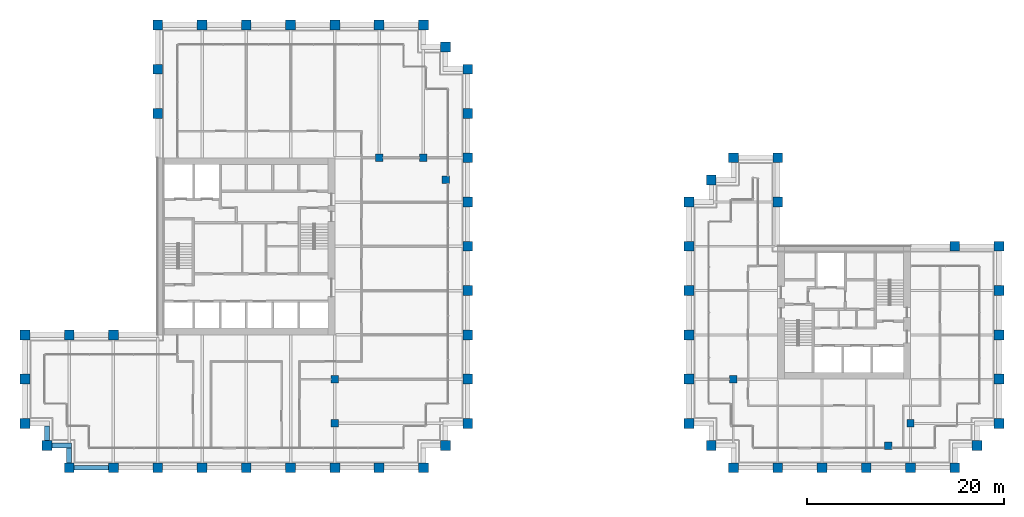
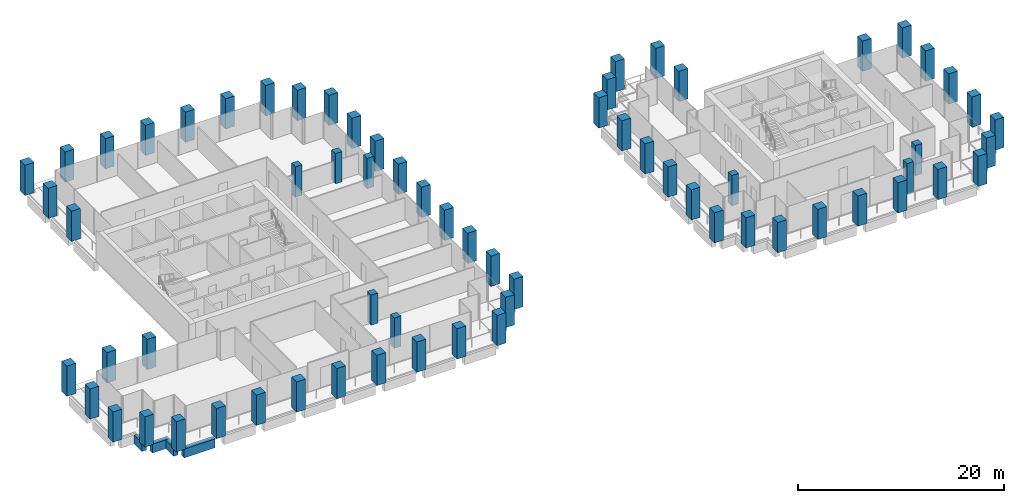
# One storey, part 1 of 46: 67 columns, 4 beams.
"""IFC4 building model written with IfcOpenShell, lengths in metres."""

import ifcopenshell
import ifcopenshell.guid

model = None  # the IFC model being written
_history = None  # IfcOwnerHistory: only IFC2X3 demands one
_inside = {}  # id of a spatial element -> (the spatial element, [elements in it])
_under = {}  # id of a project, library or spatial element -> (it, [spatial elements below it])
_declared = {}  # id of a project -> (the project, [libraries it declares])
_typed = {}  # id of a type object -> (the type object, [elements of that type])
_made_of = {}  # id of a material, layer set ... -> (it, [elements and type objects made of it])


def new_model(schema):
    """Start an empty IFC model of exactly this schema.

    Asked for "IFC4X3", IfcOpenShell would pick the latest addendum, in which some entities
    have other attributes; the version numbers below select the first issue.
    IFC2X3 requires an IfcOwnerHistory on every rooted entity: one is made here for all.
    """
    global model, _history
    if schema == "IFC4X3":
        model = ifcopenshell.file(schema_version=(4, 3, 0, 0))
    else:
        model = ifcopenshell.file(schema=schema)
    _inside.clear()
    _under.clear()
    _declared.clear()
    _typed.clear()
    _made_of.clear()
    _history = None
    if model.schema == "IFC2X3":
        org = make("IfcOrganization", Name="unknown")
        user = make(
            "IfcPersonAndOrganization",
            ThePerson=make("IfcPerson", FamilyName="unknown"),
            TheOrganization=org,
        )
        app = make(
            "IfcApplication",
            ApplicationDeveloper=org,
            Version="unknown",
            ApplicationFullName="unknown",
            ApplicationIdentifier="unknown",
        )
        _history = make(
            "IfcOwnerHistory",
            OwningUser=user,
            OwningApplication=app,
            ChangeAction="ADDED",
            CreationDate=0,
        )
    return model


def make(cls, **values):
    """One entity of the class cls with the attributes given. An attribute that is None is left unset."""
    return model.create_entity(
        cls, **{name: value for name, value in values.items() if value is not None}
    )


def rooted(cls, **values):
    """An entity with a GlobalId (a new one), such as an element, a storey or a relation."""
    return make(cls, GlobalId=ifcopenshell.guid.new(), OwnerHistory=_history, **values)


def si_unit(unit_type, name, prefix=None):
    """IfcSIUnit, for example si_unit("LENGTHUNIT", "METRE", prefix="MILLI")."""
    return make("IfcSIUnit", UnitType=unit_type, Prefix=prefix, Name=name)


def assignment(units):
    """IfcUnitAssignment: the units of a project."""
    return None if units is None else make("IfcUnitAssignment", Units=units)


def point(xyz):
    """IfcCartesianPoint."""
    return None if xyz is None else make("IfcCartesianPoint", Coordinates=xyz)


def direction(xyz):
    """IfcDirection."""
    return None if xyz is None else make("IfcDirection", DirectionRatios=xyz)


def frame(location, z_axis=None, x_axis=None):
    """IfcAxis2Placement3D, a coordinate frame: its origin and axes. An axis left out is left unset."""
    return make(
        "IfcAxis2Placement3D",
        Location=point(location),
        Axis=direction(z_axis),
        RefDirection=direction(x_axis),
    )


def frame_2d(location, x_axis=None):
    """IfcAxis2Placement2D, a coordinate frame in the plane: its origin and x axis."""
    return make(
        "IfcAxis2Placement2D", Location=point(location), RefDirection=direction(x_axis)
    )


def origin():
    """The frame at (0, 0, 0) with its axes left unset."""
    return frame((0.0, 0.0, 0.0))


def origin_2d():
    """The frame at (0, 0) in the plane with its x axis left unset."""
    return frame_2d((0.0, 0.0))


def place(relative_to, where):
    """IfcLocalPlacement: puts the frame where relative to a parent placement (None: the world)."""
    return make(
        "IfcLocalPlacement", PlacementRelTo=relative_to, RelativePlacement=where
    )


def context(
    kind, dimensions, precision=None, world=None, true_north=None, identifier=None
):
    """IfcGeometricRepresentationContext, for example the 3D "Model" context."""
    return make(
        "IfcGeometricRepresentationContext",
        ContextIdentifier=identifier,
        ContextType=kind,
        CoordinateSpaceDimension=dimensions,
        Precision=precision,
        WorldCoordinateSystem=world,
        TrueNorth=true_north,
    )


def subcontext(parent, identifier, kind, view, scale=None):
    """IfcGeometricRepresentationSubContext, for example "Body" below "Model"."""
    return make(
        "IfcGeometricRepresentationSubContext",
        ContextIdentifier=identifier,
        ContextType=kind,
        ParentContext=parent,
        TargetScale=scale,
        TargetView=view,
    )


def project(units=None, contexts=None):
    """IfcProject with its units and contexts."""
    return rooted(
        "IfcProject",
        Name="project",
        RepresentationContexts=contexts,
        UnitsInContext=assignment(units),
    )


def spatial(cls, under=None, at=None, **own):
    """A site, building, storey or space (cls), placed at a placement, below another one or the project."""
    s = rooted(cls, ObjectPlacement=at, **own)
    if under is not None:
        _under.setdefault(under.id(), (under, []))[1].append(s)
    return s


def profile(cls, at=None, kind="AREA", **sizes):
    """A parametric profile (cls). Its sizes go by their IFC names, for example OverallWidth=200.0."""
    return make(cls, ProfileType=kind, Position=at, **sizes)


def rectangle(**sizes):
    """IfcRectangleProfileDef."""
    return profile("IfcRectangleProfileDef", **sizes)


def extrude(swept, where, along, depth):
    """IfcExtrudedAreaSolid: the profile swept, set in the frame where, extruded along a direction by depth."""
    return make(
        "IfcExtrudedAreaSolid",
        SweptArea=swept,
        Position=where,
        ExtrudedDirection=direction(along),
        Depth=depth,
    )


def shape(context_of_items, identifier, shape_type, items):
    """IfcShapeRepresentation: the items that make up one representation, for example the "Body"."""
    return make(
        "IfcShapeRepresentation",
        ContextOfItems=context_of_items,
        RepresentationIdentifier=identifier,
        RepresentationType=shape_type,
        Items=items,
    )


def material(Name=None, Category=None):
    """IfcMaterial."""
    return make("IfcMaterial", Name=Name, Category=Category)


def material_profile(
    of_material, cross_section, Name=None, Category=None, Priority=None
):
    """IfcMaterialProfile: a cross section and its material."""
    return make(
        "IfcMaterialProfile",
        Name=Name,
        Material=of_material,
        Profile=cross_section,
        Priority=Priority,
        Category=Category,
    )


def profile_set(profiles, Name=None, composite=None):
    """IfcMaterialProfileSet."""
    return make(
        "IfcMaterialProfileSet",
        Name=Name,
        MaterialProfiles=profiles,
        CompositeProfile=composite,
    )


def made_of(thing, what):
    """Note that an element or type object is made of a material, layer set ...; save() writes the relation."""
    if what is not None:
        _made_of.setdefault(what.id(), (what, []))[1].append(thing)
    return thing


def type_object(cls, material=None, **own):
    """A type object (cls), such as IfcWallType, which elements share."""
    return made_of(rooted(cls, **own), material)


def element(
    cls,
    number,
    at=None,
    inside=None,
    cuts=None,
    type_object=None,
    material=None,
    context=None,
    identifier="Body",
    shape_type=None,
    held_by="IfcProductDefinitionShape",
    body=None,
    shapes=None,
    **own,
):
    """One element of the class cls, such as IfcWall. Its Tag is "e" and its number.

    at: its placement. inside: the storey or other place that contains it. cuts: it is an
    opening in that element (IfcRelVoidsElement). A single representation is given by context,
    identifier, shape_type and body (its items); several are given by shapes. held_by: the class
    of the entity that holds the representations. save() writes the other relations.
    """
    e = rooted(cls, Tag="e%d" % number, ObjectPlacement=at, **own)
    if body is not None:
        shapes = [shape(context, identifier, shape_type, body)]
    if shapes is not None:
        e.Representation = make(held_by, Representations=shapes)
    if inside is not None:
        _inside.setdefault(inside.id(), (inside, []))[1].append(e)
    if cuts is not None:
        rooted(
            "IfcRelVoidsElement", RelatingBuildingElement=cuts, RelatedOpeningElement=e
        )
    if type_object is not None:
        _typed.setdefault(type_object.id(), (type_object, []))[1].append(e)
    return made_of(e, material)


def aggregate(whole, parts):
    """IfcRelAggregates: a whole, such as a stair, and the parts it consists of."""
    return rooted("IfcRelAggregates", RelatingObject=whole, RelatedObjects=parts)


def save(model, path):
    """Write the relations noted so far, then the file.

    IfcRelAggregates (storeys below a building ...), IfcRelContainedInSpatialStructure (elements
    in a storey), IfcRelDefinesByType, IfcRelAssociatesMaterial and IfcRelDeclares: one each for
    every whole, place, type object, material and project.
    """
    for whole, parts in _under.values():
        aggregate(whole, parts)
    for where, things in _inside.values():
        rooted(
            "IfcRelContainedInSpatialStructure",
            RelatedElements=things,
            RelatingStructure=where,
        )
    for kind, things in _typed.values():
        rooted("IfcRelDefinesByType", RelatedObjects=things, RelatingType=kind)
    for what, things in _made_of.values():
        rooted("IfcRelAssociatesMaterial", RelatedObjects=things, RelatingMaterial=what)
    for by, libraries in _declared.values():
        rooted("IfcRelDeclares", RelatingContext=by, RelatedDefinitions=libraries)
    model.write(path)


model = new_model("IFC4")

# Units and contexts
model_context = context("Model", 3, precision=1e-05, world=origin(), true_north=direction((0.0, 1.0)))
body_context = subcontext(model_context, "Body", "Model", "MODEL_VIEW")
ifc_project = project(units=[si_unit("LENGTHUNIT", "METRE"), si_unit("AREAUNIT", "SQUARE_METRE"), si_unit("VOLUMEUNIT", "CUBIC_METRE"), si_unit("PLANEANGLEUNIT", "RADIAN"), si_unit("MASSUNIT", "GRAM", prefix="KILO")], contexts=[model_context])

# Site, building, storey
site_placement = place(None, origin())
site = spatial("IfcSite", under=ifc_project, at=site_placement, CompositionType="ELEMENT")
building_placement = place(site_placement, origin())
building = spatial("IfcBuilding", under=site, at=building_placement, Name="Altepetl Exchange Towers", CompositionType="ELEMENT")
storey_placement = place(building_placement, frame((0.0, 0.0, 135.199951171875)))
storey = spatial("IfcBuildingStorey", under=building, at=storey_placement, Name="L33", CompositionType="ELEMENT", Elevation=135.199951171875)

# Columns
ifc_material_1 = material(Name="Concrete C70/85", Category="concrete")
ifc_material_profile_1 = material_profile(ifc_material_1, rectangle(XDim=0.75, YDim=0.75, at=origin_2d()), Name="750 x 750")
ifc_profile_set_1 = profile_set([ifc_material_profile_1], Name="Concrete C70/85")
column_type_1 = type_object("IfcColumnType", Name="Interior column 750", PredefinedType="COLUMN", material=ifc_profile_set_1)
for number, where, name in (
    (1, (58.5, 31.5, 0.0), "col:A:L33:035"),
    (2, (58.5, 36.0, 0.0), "col:A:L33:036"),
    (3, (63.0, 58.5, 0.0), "col:A:L33:037"),
    (4, (67.5, 58.5, 0.0), "col:A:L33:038"),
    (5, (69.75, 56.25, 0.0), "col:A:L33:039"),
    (6, (99.0, 36.0, 0.0), "col:B:L33:024"),
    (7, (114.75, 29.25, 0.0), "col:B:L33:025"),
    (8, (117.0, 31.5, 0.0), "col:B:L33:026"),
):
    element("IfcColumn", number, at=place(storey_placement, frame(where)), inside=storey, type_object=column_type_1, Name=name, PredefinedType="COLUMN", context=body_context, shape_type="SweptSolid", body=[
        extrude(rectangle(XDim=0.75, YDim=0.75, at=origin_2d()), origin(), (0.0, 0.0, 1.0), 3.60009765625),
    ])
ifc_material_2 = material(Name="Concrete C70/85 precast with cantera amarilla facing", Category="concrete")
ifc_material_profile_2 = material_profile(ifc_material_2, rectangle(XDim=1.0, YDim=1.0, at=origin_2d()), Name="1000 x 1000")
ifc_profile_set_2 = profile_set([ifc_material_profile_2], Name="Concrete C70/85 precast with cantera amarilla facing")
column_type_2 = type_object("IfcColumnType", Name="Perimeter column 1000 cantera amarilla", PredefinedType="COLUMN", material=ifc_profile_set_2)
for number, where, name in (
    (9, (58.5, 27.0, 0.0), "col:A:L33:006"),
    (10, (63.0, 27.0, 0.0), "col:A:L33:007"),
    (11, (67.5, 27.0, 0.0), "col:A:L33:008"),
    (12, (69.75, 29.25, 0.0), "col:A:L33:009"),
    (13, (72.0, 31.5, 0.0), "col:A:L33:010"),
    (14, (72.0, 36.0, 0.0), "col:A:L33:011"),
    (15, (72.0, 40.5, 0.0), "col:A:L33:012"),
    (16, (72.0, 45.0, 0.0), "col:A:L33:013"),
    (17, (72.0, 49.5, 0.0), "col:A:L33:014"),
    (18, (72.0, 54.0, 0.0), "col:A:L33:015"),
    (19, (126.0, 49.5, 0.0), "col:B:L33:011"),
    (20, (121.5, 49.5, 0.0), "col:B:L33:012"),
):
    element("IfcColumn", number, at=place(storey_placement, frame(where)), inside=storey, type_object=column_type_2, Name=name, PredefinedType="COLUMN", context=body_context, shape_type="SweptSolid", body=[
        extrude(rectangle(XDim=1.0, YDim=1.0, at=origin_2d()), origin(), (0.0, 0.0, 1.0), 3.60009765625),
    ])
ifc_material_3 = material(Name="Concrete C70/85 precast with cantera blanca facing", Category="concrete")
ifc_material_profile_3 = material_profile(ifc_material_3, rectangle(XDim=1.0, YDim=1.0, at=origin_2d()), Name="1000 x 1000")
ifc_profile_set_3 = profile_set([ifc_material_profile_3], Name="Concrete C70/85 precast with cantera blanca facing")
column_type_3 = type_object("IfcColumnType", Name="Perimeter column 1000 cantera blanca", PredefinedType="COLUMN", material=ifc_profile_set_3)
for number, where, name in (
    (21, (31.5, 27.0, 0.0), "col:A:L33:000"),
    (22, (36.0, 27.0, 0.0), "col:A:L33:001"),
    (23, (40.5, 27.0, 0.0), "col:A:L33:002"),
    (24, (45.0, 27.0, 0.0), "col:A:L33:003"),
    (25, (49.5, 27.0, 0.0), "col:A:L33:004"),
    (26, (54.0, 27.0, 0.0), "col:A:L33:005"),
    (27, (27.0, 36.0, 0.0), "col:A:L33:032"),
    (28, (27.0, 31.5, 0.0), "col:A:L33:033"),
    (29, (29.25, 29.25, 0.0), "col:A:L33:034"),
    (30, (117.0, 27.0, 0.0), "col:B:L33:004"),
    (31, (121.5, 27.0, 0.0), "col:B:L33:005"),
    (32, (123.75, 29.25, 0.0), "col:B:L33:006"),
    (33, (126.0, 31.5, 0.0), "col:B:L33:007"),
    (34, (126.0, 36.0, 0.0), "col:B:L33:008"),
    (35, (126.0, 40.5, 0.0), "col:B:L33:009"),
    (36, (126.0, 45.0, 0.0), "col:B:L33:010"),
):
    element("IfcColumn", number, at=place(storey_placement, frame(where)), inside=storey, type_object=column_type_3, Name=name, PredefinedType="COLUMN", context=body_context, shape_type="SweptSolid", body=[
        extrude(rectangle(XDim=1.0, YDim=1.0, at=origin_2d()), origin(), (0.0, 0.0, 1.0), 3.60009765625),
    ])
ifc_material_4 = material(Name="Concrete C70/85 precast with cantera rosa facing", Category="concrete")
ifc_material_profile_4 = material_profile(ifc_material_4, rectangle(XDim=1.0, YDim=1.0, at=origin_2d()), Name="1000 x 1000")
ifc_profile_set_4 = profile_set([ifc_material_profile_4], Name="Concrete C70/85 precast with cantera rosa facing")
column_type_4 = type_object("IfcColumnType", Name="Perimeter column 1000 cantera rosa", PredefinedType="COLUMN", material=ifc_profile_set_4)
for number, where, name in (
    (37, (72.0, 58.5, 0.0), "col:A:L33:016"),
    (38, (72.0, 63.0, 0.0), "col:A:L33:017"),
    (39, (72.0, 67.5, 0.0), "col:A:L33:018"),
    (40, (69.75, 69.75, 0.0), "col:A:L33:019"),
    (41, (67.5, 72.0, 0.0), "col:A:L33:020"),
    (42, (63.0, 72.0, 0.0), "col:A:L33:021"),
    (43, (58.5, 72.0, 0.0), "col:A:L33:022"),
    (44, (54.0, 72.0, 0.0), "col:A:L33:023"),
    (45, (49.5, 72.0, 0.0), "col:A:L33:024"),
    (46, (45.0, 72.0, 0.0), "col:A:L33:025"),
    (47, (103.5, 54.0, 0.0), "col:B:L33:013"),
    (48, (103.5, 58.5, 0.0), "col:B:L33:014"),
    (49, (99.0, 58.5, 0.0), "col:B:L33:015"),
    (50, (96.75, 56.25, 0.0), "col:B:L33:016"),
    (51, (94.5, 54.0, 0.0), "col:B:L33:017"),
    (52, (94.5, 49.5, 0.0), "col:B:L33:018"),
    (53, (94.5, 45.0, 0.0), "col:B:L33:019"),
    (54, (94.5, 40.5, 0.0), "col:B:L33:020"),
    (55, (94.5, 36.0, 0.0), "col:B:L33:021"),
):
    element("IfcColumn", number, at=place(storey_placement, frame(where)), inside=storey, type_object=column_type_4, Name=name, PredefinedType="COLUMN", context=body_context, shape_type="SweptSolid", body=[
        extrude(rectangle(XDim=1.0, YDim=1.0, at=origin_2d()), origin(), (0.0, 0.0, 1.0), 3.60009765625),
    ])
ifc_material_5 = material(Name="Concrete C70/85 precast with tezontle facing", Category="concrete")
ifc_material_profile_5 = material_profile(ifc_material_5, rectangle(XDim=1.0, YDim=1.0, at=origin_2d()), Name="1000 x 1000")
ifc_profile_set_5 = profile_set([ifc_material_profile_5], Name="Concrete C70/85 precast with tezontle facing")
column_type_5 = type_object("IfcColumnType", Name="Perimeter column 1000 tezontle", PredefinedType="COLUMN", material=ifc_profile_set_5)
for number, where, name in (
    (56, (40.5, 72.0, 0.0), "col:A:L33:026"),
    (57, (40.5, 67.5, 0.0), "col:A:L33:027"),
    (58, (40.5, 63.0, 0.0), "col:A:L33:028"),
    (59, (36.0, 40.5, 0.0), "col:A:L33:029"),
    (60, (31.5, 40.5, 0.0), "col:A:L33:030"),
    (61, (27.0, 40.5, 0.0), "col:A:L33:031"),
    (62, (99.0, 27.0, 0.0), "col:B:L33:000"),
    (63, (103.5, 27.0, 0.0), "col:B:L33:001"),
    (64, (108.0, 27.0, 0.0), "col:B:L33:002"),
    (65, (112.5, 27.0, 0.0), "col:B:L33:003"),
    (66, (94.5, 31.5, 0.0), "col:B:L33:022"),
    (67, (96.75, 29.25, 0.0), "col:B:L33:023"),
):
    element("IfcColumn", number, at=place(storey_placement, frame(where)), inside=storey, type_object=column_type_5, Name=name, PredefinedType="COLUMN", context=body_context, shape_type="SweptSolid", body=[
        extrude(rectangle(XDim=1.0, YDim=1.0, at=origin_2d()), origin(), (0.0, 0.0, 1.0), 3.60009765625),
    ])

# Beams
ifc_material_6 = material(Name="Concrete C50/60 precast with cantera blanca facing", Category="concrete")
ifc_material_profile_6 = material_profile(ifc_material_6, rectangle(XDim=0.5, YDim=1.050048828125, at=origin_2d()), Name="500 x 1050")
ifc_profile_set_6 = profile_set([ifc_material_profile_6], Name="Concrete C50/60 precast with cantera blanca facing")
beam_type = type_object("IfcBeamType", Name="Spandrel beam 500x1050 cantera blanca", PredefinedType="SPANDREL", material=ifc_profile_set_6)
beam_1_placement = place(storey_placement, frame((32.0, 27.0, -0.675048828125), z_axis=(1.0, 0.0, 0.0), x_axis=(0.0, 1.0, 0.0)))
element("IfcBeam", 68, at=beam_1_placement, inside=storey, type_object=beam_type, Name="sp:A:L33:000", PredefinedType="SPANDREL", context=body_context, shape_type="SweptSolid", body=[
    extrude(rectangle(XDim=0.5, YDim=1.050048828125, at=origin_2d()), origin(), (0.0, 0.0, 1.0), 3.5),
])
beam_2_placement = place(storey_placement, frame((29.25, 31.25, -0.675048828125), z_axis=(0.0, -1.0, 0.0), x_axis=(1.0, 0.0, 0.0)))
element("IfcBeam", 69, at=beam_2_placement, inside=storey, type_object=beam_type, Name="sp:A:L33:039", PredefinedType="SPANDREL", context=body_context, shape_type="SweptSolid", body=[
    extrude(rectangle(XDim=0.5, YDim=1.050048828125, at=origin_2d()), origin(), (0.0, 0.0, 1.0), 1.5),
])
beam_3_placement = place(storey_placement, frame((29.75, 29.25, -0.675048828125), z_axis=(1.0, 0.0, 0.0), x_axis=(0.0, 1.0, 0.0)))
element("IfcBeam", 70, at=beam_3_placement, inside=storey, type_object=beam_type, Name="sp:A:L33:040", PredefinedType="SPANDREL", context=body_context, shape_type="SweptSolid", body=[
    extrude(rectangle(XDim=0.5, YDim=1.050048828125, at=origin_2d()), origin(), (0.0, 0.0, 1.0), 2.0),
])
beam_4_placement = place(storey_placement, frame((31.5, 29.0, -0.675048828125), z_axis=(0.0, -1.0, 0.0), x_axis=(1.0, 0.0, 0.0)))
element("IfcBeam", 71, at=beam_4_placement, inside=storey, type_object=beam_type, Name="sp:A:L33:041", PredefinedType="SPANDREL", context=body_context, shape_type="SweptSolid", body=[
    extrude(rectangle(XDim=0.5, YDim=1.050048828125, at=origin_2d()), origin(), (0.0, 0.0, 1.0), 1.5),
])

save(model, "model.ifc")
